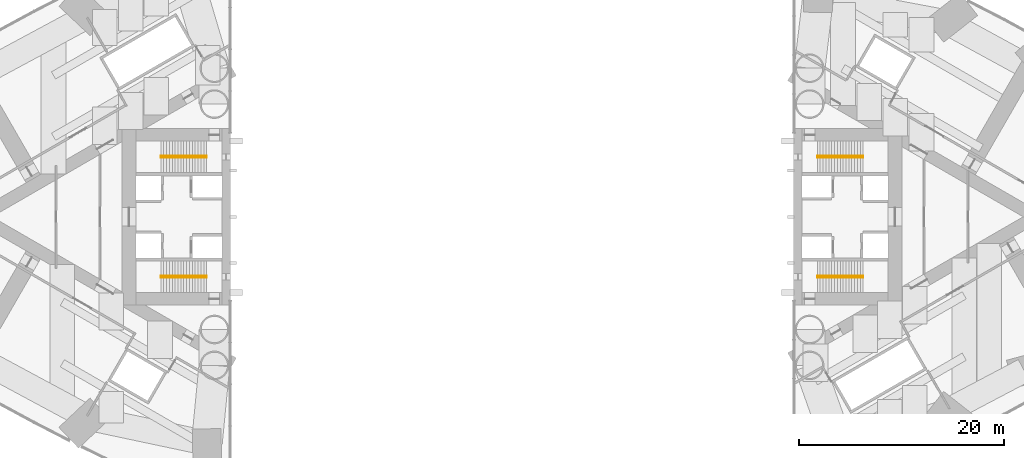
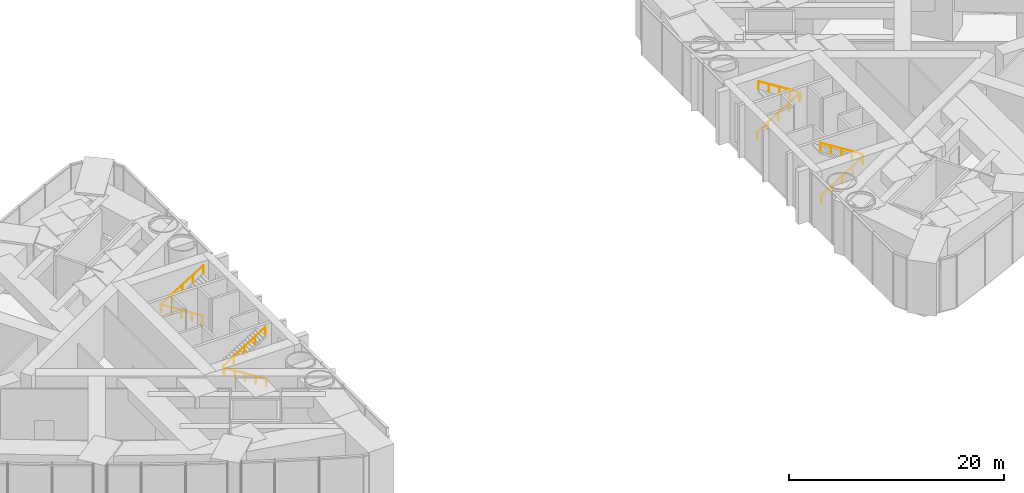
# One storey, part 18 of 18: 8 railings.
"""IFC4 building model written with IfcOpenShell, lengths in metres."""

from ifc_helpers import new_model, si_unit, direction, frame, origin, origin_2d, place, context, subcontext, project, spatial, circle, extrude, material, type_object, element, save


model = new_model("IFC4")

# Units and contexts
model_context = context("Model", 3, precision=1e-05, world=origin(), true_north=direction((0.0, 1.0)))
body_context = subcontext(model_context, "Body", "Model", "MODEL_VIEW")
ifc_project = project(units=[si_unit("LENGTHUNIT", "METRE"), si_unit("AREAUNIT", "SQUARE_METRE"), si_unit("VOLUMEUNIT", "CUBIC_METRE"), si_unit("PLANEANGLEUNIT", "RADIAN"), si_unit("MASSUNIT", "GRAM", prefix="KILO")], contexts=[model_context])

# Site, building, storey
site_placement = place(None, origin())
site = spatial("IfcSite", under=ifc_project, at=site_placement, CompositionType="ELEMENT")
building_placement = place(site_placement, origin())
building = spatial("IfcBuilding", under=site, at=building_placement, Name="Lancet Gate Hotel", CompositionType="ELEMENT")
storey_placement = place(building_placement, frame((0.0, 0.0, 81.0)))
storey = spatial("IfcBuildingStorey", under=building, at=storey_placement, Name="L21", CompositionType="ELEMENT", Elevation=81.0)

# Railings
ifc_material = material(Name="Stainless steel handrail", Category="steel")
railing_type = type_object("IfcRailingType", Name="Stair handrail 900", PredefinedType="HANDRAIL", material=ifc_material)
railing_1_placement = place(storey_placement, frame((-29.800048828125, 5.929931640625, 0.176513671875)))
element("IfcRailing", 1, at=railing_1_placement, inside=storey, type_object=railing_type, Name="ST1 handrail flight 1 L21", PredefinedType="HANDRAIL", context=body_context, shape_type="SweptSolid", body=[
    extrude(circle(Radius=0.02392578125, at=origin_2d()), frame((0.0, 0.0, 0.8759765625), z_axis=(-0.845997938375, 0.0, 0.533186166611), x_axis=(0.0, -1.0, 0.0)), (0.0, 0.0, 1.0), 5.29541015625),
    extrude(circle(Radius=0.02099609375, at=origin_2d()), origin(), (0.0, 0.0, 1.0), 0.851806640625),
    extrude(circle(Radius=0.02099609375, at=origin_2d()), frame((-1.1201171875, 0.0, 0.705810546875)), (0.0, 0.0, 1.0), 0.851806640625),
    extrude(circle(Radius=0.02099609375, at=origin_2d()), frame((-2.239990234375, 0.0, 1.41162109375)), (0.0, 0.0, 1.0), 0.851806640625),
    extrude(circle(Radius=0.02099609375, at=origin_2d()), frame((-3.35986328125, 0.0, 2.11767578125)), (0.0, 0.0, 1.0), 0.851806640625),
    extrude(circle(Radius=0.02099609375, at=origin_2d()), frame((-4.47998046875, 0.0, 2.823486328125)), (0.0, 0.0, 1.0), 0.851806640625),
])
railing_2_placement = place(storey_placement, frame((-34.280029296875, 5.77001953125, 3.176513671875)))
element("IfcRailing", 2, at=railing_2_placement, inside=storey, type_object=railing_type, Name="ST1 handrail flight 2 L21", PredefinedType="HANDRAIL", context=body_context, shape_type="SweptSolid", body=[
    extrude(circle(Radius=0.02392578125, at=origin_2d()), frame((0.0, 0.0, 0.8759765625), z_axis=(0.845997938375, 0.0, 0.533186166611), x_axis=(0.0, 1.0, 0.0)), (0.0, 0.0, 1.0), 5.29541015625),
    extrude(circle(Radius=0.02099609375, at=origin_2d()), origin(), (0.0, 0.0, 1.0), 0.851806640625),
    extrude(circle(Radius=0.02099609375, at=origin_2d()), frame((1.1201171875, 0.0, 0.705810546875)), (0.0, 0.0, 1.0), 0.851806640625),
    extrude(circle(Radius=0.02099609375, at=origin_2d()), frame((2.239990234375, 0.0, 1.41162109375)), (0.0, 0.0, 1.0), 0.851806640625),
    extrude(circle(Radius=0.02099609375, at=origin_2d()), frame((3.35986328125, 0.0, 2.11767578125)), (0.0, 0.0, 1.0), 0.851806640625),
    extrude(circle(Radius=0.02099609375, at=origin_2d()), frame((4.47998046875, 0.0, 2.823486328125)), (0.0, 0.0, 1.0), 0.851806640625),
])
railing_3_placement = place(storey_placement, frame((-29.800048828125, -5.929931640625, 0.176513671875)))
element("IfcRailing", 3, at=railing_3_placement, inside=storey, type_object=railing_type, Name="ST2 handrail flight 1 L21", PredefinedType="HANDRAIL", context=body_context, shape_type="SweptSolid", body=[
    extrude(circle(Radius=0.02392578125, at=origin_2d()), frame((0.0, 0.0, 0.8759765625), z_axis=(-0.845997938375, 0.0, 0.533186166611), x_axis=(0.0, -1.0, 0.0)), (0.0, 0.0, 1.0), 5.29541015625),
    extrude(circle(Radius=0.02099609375, at=origin_2d()), origin(), (0.0, 0.0, 1.0), 0.851806640625),
    extrude(circle(Radius=0.02099609375, at=origin_2d()), frame((-1.1201171875, 0.0, 0.705810546875)), (0.0, 0.0, 1.0), 0.851806640625),
    extrude(circle(Radius=0.02099609375, at=origin_2d()), frame((-2.239990234375, 0.0, 1.41162109375)), (0.0, 0.0, 1.0), 0.851806640625),
    extrude(circle(Radius=0.02099609375, at=origin_2d()), frame((-3.35986328125, 0.0, 2.11767578125)), (0.0, 0.0, 1.0), 0.851806640625),
    extrude(circle(Radius=0.02099609375, at=origin_2d()), frame((-4.47998046875, 0.0, 2.823486328125)), (0.0, 0.0, 1.0), 0.851806640625),
])
for number, where, name in (
    (4, (-34.280029296875, -5.77001953125, 3.176513671875), "ST2 handrail flight 2 L21"),
    (5, (29.800048828125, -5.929931640625, 0.176513671875), "ST3 handrail flight 1 L21"),
):
    element("IfcRailing", number, at=place(storey_placement, frame(where)), inside=storey, type_object=railing_type, Name=name, PredefinedType="HANDRAIL", context=body_context, shape_type="SweptSolid", body=[
        extrude(circle(Radius=0.02392578125, at=origin_2d()), frame((0.0, 0.0, 0.8759765625), z_axis=(0.845997938375, 0.0, 0.533186166611), x_axis=(0.0, 1.0, 0.0)), (0.0, 0.0, 1.0), 5.29541015625),
        extrude(circle(Radius=0.02099609375, at=origin_2d()), origin(), (0.0, 0.0, 1.0), 0.851806640625),
        extrude(circle(Radius=0.02099609375, at=origin_2d()), frame((1.1201171875, 0.0, 0.705810546875)), (0.0, 0.0, 1.0), 0.851806640625),
        extrude(circle(Radius=0.02099609375, at=origin_2d()), frame((2.239990234375, 0.0, 1.41162109375)), (0.0, 0.0, 1.0), 0.851806640625),
        extrude(circle(Radius=0.02099609375, at=origin_2d()), frame((3.35986328125, 0.0, 2.11767578125)), (0.0, 0.0, 1.0), 0.851806640625),
        extrude(circle(Radius=0.02099609375, at=origin_2d()), frame((4.47998046875, 0.0, 2.823486328125)), (0.0, 0.0, 1.0), 0.851806640625),
    ])
railing_4_placement = place(storey_placement, frame((34.280029296875, -5.77001953125, 3.176513671875)))
element("IfcRailing", 6, at=railing_4_placement, inside=storey, type_object=railing_type, Name="ST3 handrail flight 2 L21", PredefinedType="HANDRAIL", context=body_context, shape_type="SweptSolid", body=[
    extrude(circle(Radius=0.02392578125, at=origin_2d()), frame((0.0, 0.0, 0.8759765625), z_axis=(-0.845997938375, 0.0, 0.533186166611), x_axis=(0.0, -1.0, 0.0)), (0.0, 0.0, 1.0), 5.29541015625),
    extrude(circle(Radius=0.02099609375, at=origin_2d()), origin(), (0.0, 0.0, 1.0), 0.851806640625),
    extrude(circle(Radius=0.02099609375, at=origin_2d()), frame((-1.1201171875, 0.0, 0.705810546875)), (0.0, 0.0, 1.0), 0.851806640625),
    extrude(circle(Radius=0.02099609375, at=origin_2d()), frame((-2.239990234375, 0.0, 1.41162109375)), (0.0, 0.0, 1.0), 0.851806640625),
    extrude(circle(Radius=0.02099609375, at=origin_2d()), frame((-3.35986328125, 0.0, 2.11767578125)), (0.0, 0.0, 1.0), 0.851806640625),
    extrude(circle(Radius=0.02099609375, at=origin_2d()), frame((-4.47998046875, 0.0, 2.823486328125)), (0.0, 0.0, 1.0), 0.851806640625),
])
railing_5_placement = place(storey_placement, frame((29.800048828125, 5.929931640625, 0.176513671875)))
element("IfcRailing", 7, at=railing_5_placement, inside=storey, type_object=railing_type, Name="ST4 handrail flight 1 L21", PredefinedType="HANDRAIL", context=body_context, shape_type="SweptSolid", body=[
    extrude(circle(Radius=0.02392578125, at=origin_2d()), frame((0.0, 0.0, 0.8759765625), z_axis=(0.845997938375, 0.0, 0.533186166611), x_axis=(0.0, 1.0, 0.0)), (0.0, 0.0, 1.0), 5.29541015625),
    extrude(circle(Radius=0.02099609375, at=origin_2d()), origin(), (0.0, 0.0, 1.0), 0.851806640625),
    extrude(circle(Radius=0.02099609375, at=origin_2d()), frame((1.1201171875, 0.0, 0.705810546875)), (0.0, 0.0, 1.0), 0.851806640625),
    extrude(circle(Radius=0.02099609375, at=origin_2d()), frame((2.239990234375, 0.0, 1.41162109375)), (0.0, 0.0, 1.0), 0.851806640625),
    extrude(circle(Radius=0.02099609375, at=origin_2d()), frame((3.35986328125, 0.0, 2.11767578125)), (0.0, 0.0, 1.0), 0.851806640625),
    extrude(circle(Radius=0.02099609375, at=origin_2d()), frame((4.47998046875, 0.0, 2.823486328125)), (0.0, 0.0, 1.0), 0.851806640625),
])
railing_6_placement = place(storey_placement, frame((34.280029296875, 5.77001953125, 3.176513671875)))
element("IfcRailing", 8, at=railing_6_placement, inside=storey, type_object=railing_type, Name="ST4 handrail flight 2 L21", PredefinedType="HANDRAIL", context=body_context, shape_type="SweptSolid", body=[
    extrude(circle(Radius=0.02392578125, at=origin_2d()), frame((0.0, 0.0, 0.8759765625), z_axis=(-0.845997938375, 0.0, 0.533186166611), x_axis=(0.0, -1.0, 0.0)), (0.0, 0.0, 1.0), 5.29541015625),
    extrude(circle(Radius=0.02099609375, at=origin_2d()), origin(), (0.0, 0.0, 1.0), 0.851806640625),
    extrude(circle(Radius=0.02099609375, at=origin_2d()), frame((-1.1201171875, 0.0, 0.705810546875)), (0.0, 0.0, 1.0), 0.851806640625),
    extrude(circle(Radius=0.02099609375, at=origin_2d()), frame((-2.239990234375, 0.0, 1.41162109375)), (0.0, 0.0, 1.0), 0.851806640625),
    extrude(circle(Radius=0.02099609375, at=origin_2d()), frame((-3.35986328125, 0.0, 2.11767578125)), (0.0, 0.0, 1.0), 0.851806640625),
    extrude(circle(Radius=0.02099609375, at=origin_2d()), frame((-4.47998046875, 0.0, 2.823486328125)), (0.0, 0.0, 1.0), 0.851806640625),
])

save(model, "model.ifc")
